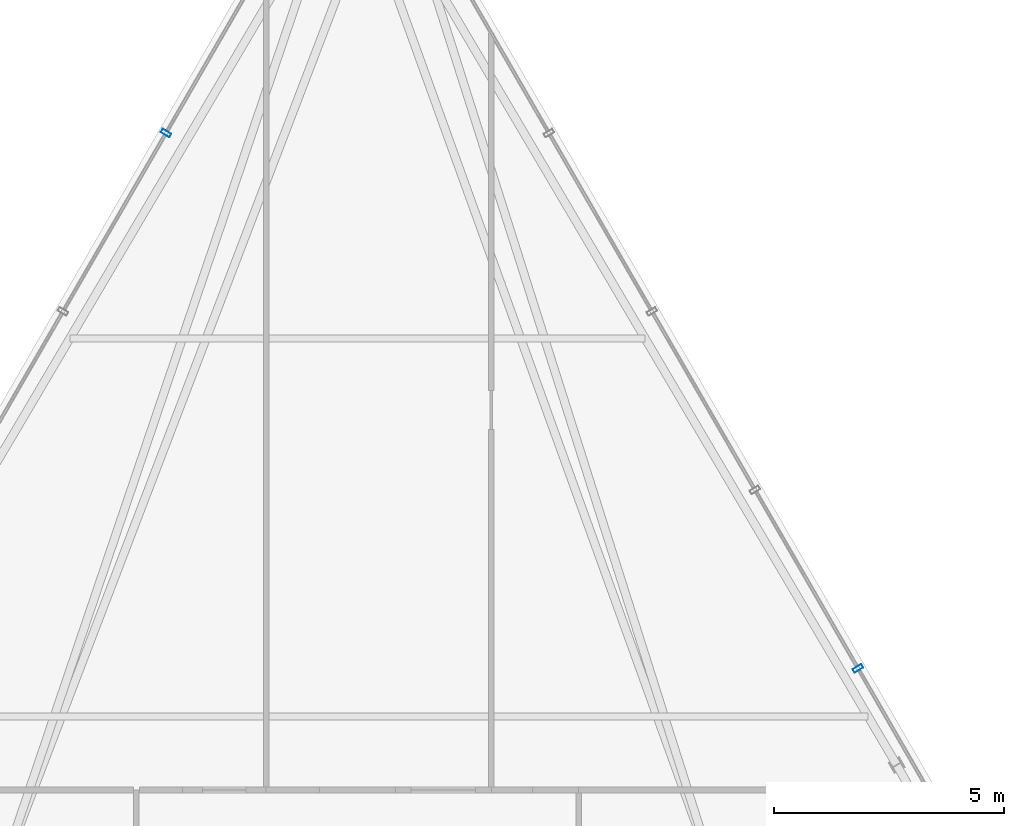
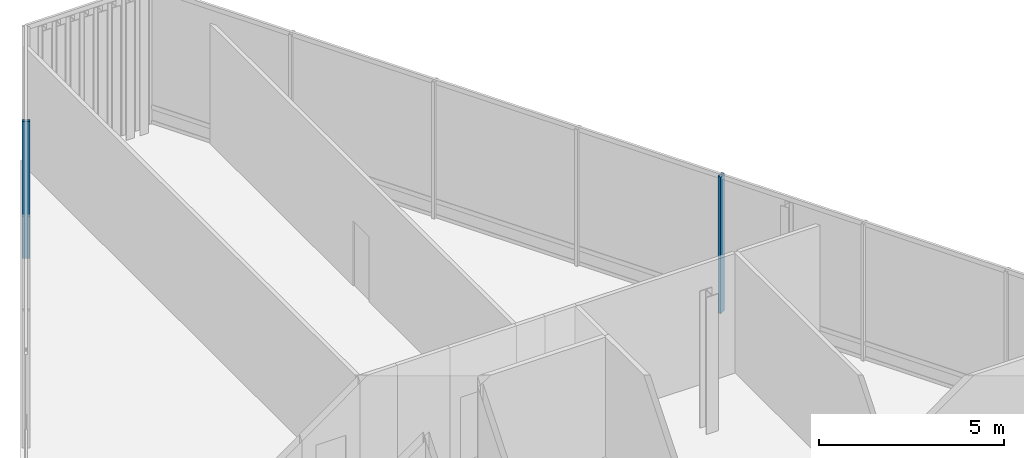
# One storey, part 17 of 25: 2 members, 2 elements without a shape of their own.
"""IFC4 building model written with IfcOpenShell, lengths in metres."""

import ifcopenshell
import ifcopenshell.guid

model = None  # the IFC model being written
_history = None  # IfcOwnerHistory: only IFC2X3 demands one
_inside = {}  # id of a spatial element -> (the spatial element, [elements in it])
_under = {}  # id of a project, library or spatial element -> (it, [spatial elements below it])
_declared = {}  # id of a project -> (the project, [libraries it declares])
_typed = {}  # id of a type object -> (the type object, [elements of that type])
_made_of = {}  # id of a material, layer set ... -> (it, [elements and type objects made of it])


def new_model(schema):
    """Start an empty IFC model of exactly this schema.

    Asked for "IFC4X3", IfcOpenShell would pick the latest addendum, in which some entities
    have other attributes; the version numbers below select the first issue.
    IFC2X3 requires an IfcOwnerHistory on every rooted entity: one is made here for all.
    """
    global model, _history
    if schema == "IFC4X3":
        model = ifcopenshell.file(schema_version=(4, 3, 0, 0))
    else:
        model = ifcopenshell.file(schema=schema)
    _inside.clear()
    _under.clear()
    _declared.clear()
    _typed.clear()
    _made_of.clear()
    _history = None
    if model.schema == "IFC2X3":
        org = make("IfcOrganization", Name="unknown")
        user = make(
            "IfcPersonAndOrganization",
            ThePerson=make("IfcPerson", FamilyName="unknown"),
            TheOrganization=org,
        )
        app = make(
            "IfcApplication",
            ApplicationDeveloper=org,
            Version="unknown",
            ApplicationFullName="unknown",
            ApplicationIdentifier="unknown",
        )
        _history = make(
            "IfcOwnerHistory",
            OwningUser=user,
            OwningApplication=app,
            ChangeAction="ADDED",
            CreationDate=0,
        )
    return model


def make(cls, **values):
    """One entity of the class cls with the attributes given. An attribute that is None is left unset."""
    return model.create_entity(
        cls, **{name: value for name, value in values.items() if value is not None}
    )


def rooted(cls, **values):
    """An entity with a GlobalId (a new one), such as an element, a storey or a relation."""
    return make(cls, GlobalId=ifcopenshell.guid.new(), OwnerHistory=_history, **values)


def si_unit(unit_type, name, prefix=None):
    """IfcSIUnit, for example si_unit("LENGTHUNIT", "METRE", prefix="MILLI")."""
    return make("IfcSIUnit", UnitType=unit_type, Prefix=prefix, Name=name)


def assignment(units):
    """IfcUnitAssignment: the units of a project."""
    return None if units is None else make("IfcUnitAssignment", Units=units)


def point(xyz):
    """IfcCartesianPoint."""
    return None if xyz is None else make("IfcCartesianPoint", Coordinates=xyz)


def direction(xyz):
    """IfcDirection."""
    return None if xyz is None else make("IfcDirection", DirectionRatios=xyz)


def frame(location, z_axis=None, x_axis=None):
    """IfcAxis2Placement3D, a coordinate frame: its origin and axes. An axis left out is left unset."""
    return make(
        "IfcAxis2Placement3D",
        Location=point(location),
        Axis=direction(z_axis),
        RefDirection=direction(x_axis),
    )


def frame_2d(location, x_axis=None):
    """IfcAxis2Placement2D, a coordinate frame in the plane: its origin and x axis."""
    return make(
        "IfcAxis2Placement2D", Location=point(location), RefDirection=direction(x_axis)
    )


def origin():
    """The frame at (0, 0, 0) with its axes left unset."""
    return frame((0.0, 0.0, 0.0))


def origin_2d():
    """The frame at (0, 0) in the plane with its x axis left unset."""
    return frame_2d((0.0, 0.0))


def place(relative_to, where):
    """IfcLocalPlacement: puts the frame where relative to a parent placement (None: the world)."""
    return make(
        "IfcLocalPlacement", PlacementRelTo=relative_to, RelativePlacement=where
    )


def context(
    kind, dimensions, precision=None, world=None, true_north=None, identifier=None
):
    """IfcGeometricRepresentationContext, for example the 3D "Model" context."""
    return make(
        "IfcGeometricRepresentationContext",
        ContextIdentifier=identifier,
        ContextType=kind,
        CoordinateSpaceDimension=dimensions,
        Precision=precision,
        WorldCoordinateSystem=world,
        TrueNorth=true_north,
    )


def subcontext(parent, identifier, kind, view, scale=None):
    """IfcGeometricRepresentationSubContext, for example "Body" below "Model"."""
    return make(
        "IfcGeometricRepresentationSubContext",
        ContextIdentifier=identifier,
        ContextType=kind,
        ParentContext=parent,
        TargetScale=scale,
        TargetView=view,
    )


def project(units=None, contexts=None):
    """IfcProject with its units and contexts."""
    return rooted(
        "IfcProject",
        Name="project",
        RepresentationContexts=contexts,
        UnitsInContext=assignment(units),
    )


def spatial(cls, under=None, at=None, **own):
    """A site, building, storey or space (cls), placed at a placement, below another one or the project."""
    s = rooted(cls, ObjectPlacement=at, **own)
    if under is not None:
        _under.setdefault(under.id(), (under, []))[1].append(s)
    return s


def profile(cls, at=None, kind="AREA", **sizes):
    """A parametric profile (cls). Its sizes go by their IFC names, for example OverallWidth=200.0."""
    return make(cls, ProfileType=kind, Position=at, **sizes)


def hollow_rectangle(**sizes):
    """IfcRectangleHollowProfileDef."""
    return profile("IfcRectangleHollowProfileDef", **sizes)


def extrude(swept, where, along, depth):
    """IfcExtrudedAreaSolid: the profile swept, set in the frame where, extruded along a direction by depth."""
    return make(
        "IfcExtrudedAreaSolid",
        SweptArea=swept,
        Position=where,
        ExtrudedDirection=direction(along),
        Depth=depth,
    )


def shape(context_of_items, identifier, shape_type, items):
    """IfcShapeRepresentation: the items that make up one representation, for example the "Body"."""
    return make(
        "IfcShapeRepresentation",
        ContextOfItems=context_of_items,
        RepresentationIdentifier=identifier,
        RepresentationType=shape_type,
        Items=items,
    )


def material(Name=None, Category=None):
    """IfcMaterial."""
    return make("IfcMaterial", Name=Name, Category=Category)


def layer(
    of_material, thickness, ventilated=None, Name=None, Category=None, Priority=None
):
    """IfcMaterialLayer: one layer of a wall or slab, of a material (None: an air gap)."""
    return make(
        "IfcMaterialLayer",
        Material=of_material,
        LayerThickness=thickness,
        IsVentilated=ventilated,
        Name=Name,
        Category=Category,
        Priority=Priority,
    )


def layer_set(layers, Name=None):
    """IfcMaterialLayerSet."""
    return make("IfcMaterialLayerSet", MaterialLayers=layers, LayerSetName=Name)


def material_profile(
    of_material, cross_section, Name=None, Category=None, Priority=None
):
    """IfcMaterialProfile: a cross section and its material."""
    return make(
        "IfcMaterialProfile",
        Name=Name,
        Material=of_material,
        Profile=cross_section,
        Priority=Priority,
        Category=Category,
    )


def profile_set(profiles, Name=None, composite=None):
    """IfcMaterialProfileSet."""
    return make(
        "IfcMaterialProfileSet",
        Name=Name,
        MaterialProfiles=profiles,
        CompositeProfile=composite,
    )


def made_of(thing, what):
    """Note that an element or type object is made of a material, layer set ...; save() writes the relation."""
    if what is not None:
        _made_of.setdefault(what.id(), (what, []))[1].append(thing)
    return thing


def type_object(cls, material=None, **own):
    """A type object (cls), such as IfcWallType, which elements share."""
    return made_of(rooted(cls, **own), material)


def element(
    cls,
    number,
    at=None,
    inside=None,
    cuts=None,
    type_object=None,
    material=None,
    context=None,
    identifier="Body",
    shape_type=None,
    held_by="IfcProductDefinitionShape",
    body=None,
    shapes=None,
    **own,
):
    """One element of the class cls, such as IfcWall. Its Tag is "e" and its number.

    at: its placement. inside: the storey or other place that contains it. cuts: it is an
    opening in that element (IfcRelVoidsElement). A single representation is given by context,
    identifier, shape_type and body (its items); several are given by shapes. held_by: the class
    of the entity that holds the representations. save() writes the other relations.
    """
    e = rooted(cls, Tag="e%d" % number, ObjectPlacement=at, **own)
    if body is not None:
        shapes = [shape(context, identifier, shape_type, body)]
    if shapes is not None:
        e.Representation = make(held_by, Representations=shapes)
    if inside is not None:
        _inside.setdefault(inside.id(), (inside, []))[1].append(e)
    if cuts is not None:
        rooted(
            "IfcRelVoidsElement", RelatingBuildingElement=cuts, RelatedOpeningElement=e
        )
    if type_object is not None:
        _typed.setdefault(type_object.id(), (type_object, []))[1].append(e)
    return made_of(e, material)


def aggregate(whole, parts):
    """IfcRelAggregates: a whole, such as a stair, and the parts it consists of."""
    return rooted("IfcRelAggregates", RelatingObject=whole, RelatedObjects=parts)


def save(model, path):
    """Write the relations noted so far, then the file.

    IfcRelAggregates (storeys below a building ...), IfcRelContainedInSpatialStructure (elements
    in a storey), IfcRelDefinesByType, IfcRelAssociatesMaterial and IfcRelDeclares: one each for
    every whole, place, type object, material and project.
    """
    for whole, parts in _under.values():
        aggregate(whole, parts)
    for where, things in _inside.values():
        rooted(
            "IfcRelContainedInSpatialStructure",
            RelatedElements=things,
            RelatingStructure=where,
        )
    for kind, things in _typed.values():
        rooted("IfcRelDefinesByType", RelatedObjects=things, RelatingType=kind)
    for what, things in _made_of.values():
        rooted("IfcRelAssociatesMaterial", RelatedObjects=things, RelatingMaterial=what)
    for by, libraries in _declared.values():
        rooted("IfcRelDeclares", RelatingContext=by, RelatedDefinitions=libraries)
    model.write(path)


model = new_model("IFC4")

# Units and contexts
model_context = context("Model", 3, precision=1e-05, world=origin(), true_north=direction((0.0, 1.0)))
body_context = subcontext(model_context, "Body", "Model", "MODEL_VIEW")
ifc_project = project(units=[si_unit("LENGTHUNIT", "METRE"), si_unit("AREAUNIT", "SQUARE_METRE"), si_unit("VOLUMEUNIT", "CUBIC_METRE"), si_unit("PLANEANGLEUNIT", "RADIAN"), si_unit("MASSUNIT", "GRAM", prefix="KILO")], contexts=[model_context])

# Site, building, storey
site_placement = place(None, origin())
site = spatial("IfcSite", under=ifc_project, at=site_placement, CompositionType="ELEMENT")
building_placement = place(site_placement, origin())
building = spatial("IfcBuilding", under=site, at=building_placement, Name="Ndaravel Arena Tower", CompositionType="ELEMENT")
storey_placement = place(building_placement, frame((0.0, 0.0, 298.5)))
storey = spatial("IfcBuildingStorey", under=building, at=storey_placement, Name="L73", CompositionType="ELEMENT", Elevation=298.5)

# Curtain wall, member
ifc_material_1 = material(Name="Aluminium", Category="aluminium")
ifc_layer = layer(ifc_material_1, 0.179931640625)
ifc_layer_set = layer_set([ifc_layer], Name="Aluminium")
curtain_wall_type = type_object("IfcCurtainWallType", Name="CW-SYS-04", PredefinedType="NOTDEFINED", material=ifc_layer_set)
curtain_wall_1_placement = place(storey_placement, origin())
curtain_wall_1 = element("IfcCurtainWall", 1, at=curtain_wall_1_placement, inside=storey, type_object=curtain_wall_type, Name="L73 Faceted Crystal Curtain Wall CW-L73-E03", PredefinedType="NOTDEFINED")
ifc_material_2 = material(Name="Aluminium", Category="aluminium")
ifc_material_profile = material_profile(ifc_material_2, hollow_rectangle(XDim=0.090087890625, YDim=0.219970703125, WallThickness=0.0048828125, at=origin_2d()), Name="CW MULLION 90x220x5")
ifc_profile_set = profile_set([ifc_material_profile], Name="Aluminium")
member_type = type_object("IfcMemberType", Name="MEM-CW-MUL220", PredefinedType="MULLION", material=ifc_profile_set)
member_1_placement = place(storey_placement, frame((52.85986328125, 27.8408203125, 0.0), z_axis=(0.0, 0.0, 1.0), x_axis=(-0.5, 0.866025403784, 0.0)))
member_1 = element("IfcMember", 2, at=member_1_placement, type_object=member_type, Name="CW-L73-E03 Mullion 05", PredefinedType="MULLION", context=body_context, shape_type="SweptSolid", body=[
    extrude(hollow_rectangle(XDim=0.090087890625, YDim=0.219970703125, WallThickness=0.0048828125, at=origin_2d()), origin(), (0.0, 0.0, 1.0), 4.52001953125),
])
aggregate(curtain_wall_1, [member_1])

curtain_wall_2_placement = place(storey_placement, origin())
curtain_wall_2 = element("IfcCurtainWall", 3, at=curtain_wall_2_placement, inside=storey, type_object=curtain_wall_type, Name="L73 Faceted Crystal Curtain Wall CW-L73-E05", PredefinedType="NOTDEFINED")
member_2_placement = place(storey_placement, frame((37.84521484375, 39.454345703125, 0.0), z_axis=(0.0, 0.0, 1.0), x_axis=(-0.5, -0.866025403784, 0.0)))
member_2 = element("IfcMember", 4, at=member_2_placement, type_object=member_type, Name="CW-L73-E05 Mullion 01", PredefinedType="MULLION", context=body_context, shape_type="SweptSolid", body=[
    extrude(hollow_rectangle(XDim=0.090087890625, YDim=0.219970703125, WallThickness=0.0048828125, at=origin_2d()), origin(), (0.0, 0.0, 1.0), 4.52001953125),
])
aggregate(curtain_wall_2, [member_2])

save(model, "model.ifc")
